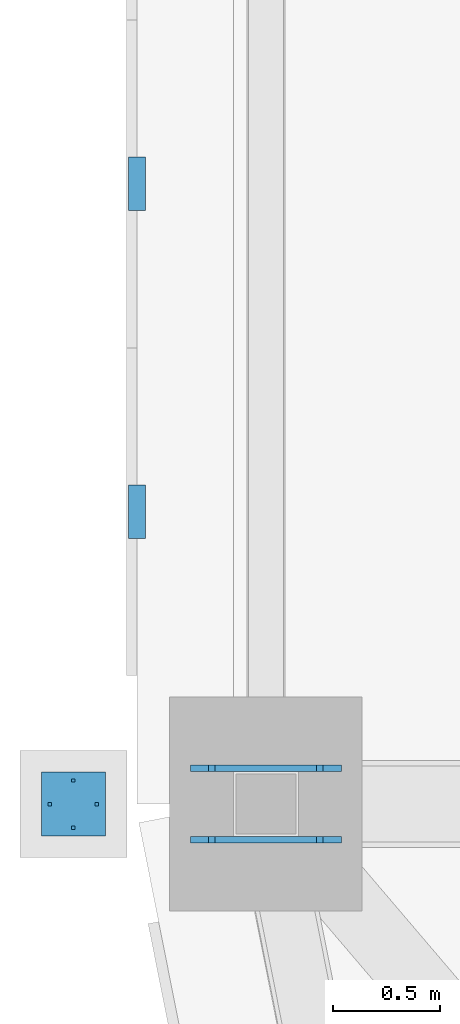
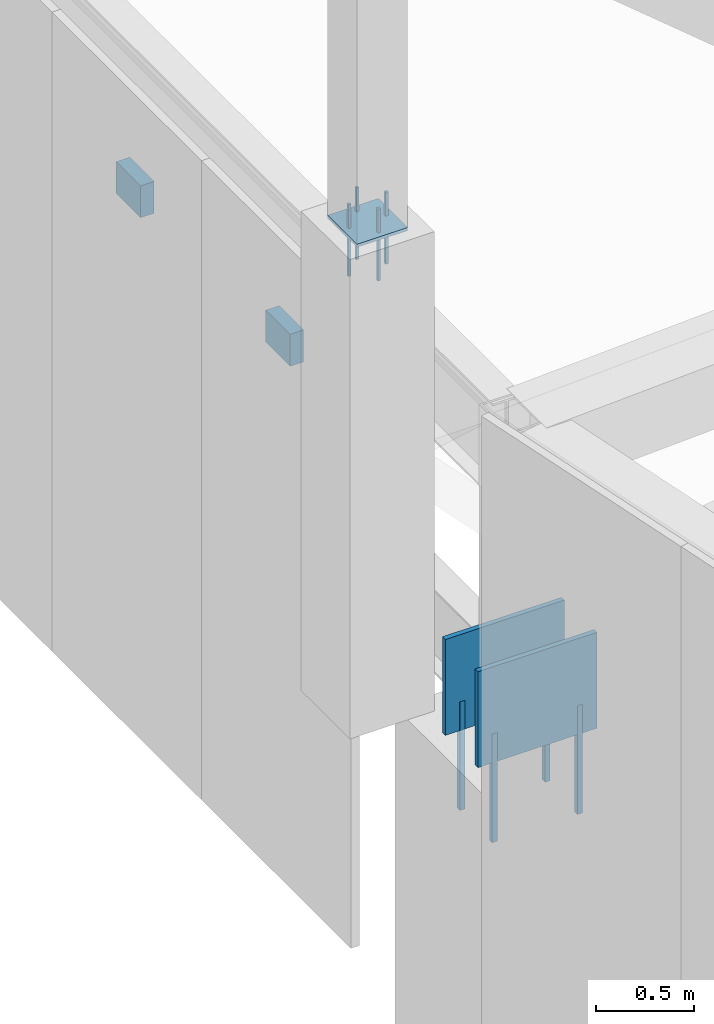
# One storey, part 126 of 278: 8 mechanical fasteners, 5 discrete accessories.
"""IFC4 building model written with IfcOpenShell, lengths in metres."""

from ifc_helpers import new_model, si_unit, direction, frame, origin, origin_2d, place, context, subcontext, project, spatial, rectangle, extrude, material, layer, layer_set, type_object, element, save


model = new_model("IFC4")

# Units and contexts
model_context = context("Model", 3, precision=1e-05, world=origin(), true_north=direction((0.0, 1.0)))
body_context = subcontext(model_context, "Body", "Model", "MODEL_VIEW")
ifc_project = project(units=[si_unit("LENGTHUNIT", "METRE"), si_unit("AREAUNIT", "SQUARE_METRE"), si_unit("VOLUMEUNIT", "CUBIC_METRE"), si_unit("PLANEANGLEUNIT", "RADIAN"), si_unit("MASSUNIT", "GRAM", prefix="KILO")], contexts=[model_context])

# Site, building, storey
site_placement = place(None, origin())
site = spatial("IfcSite", under=ifc_project, at=site_placement, CompositionType="ELEMENT")
building_placement = place(site_placement, origin())
building = spatial("IfcBuilding", under=site, at=building_placement, Name="Ogive Plaza Stadium", CompositionType="ELEMENT")
storey_placement = place(building_placement, frame((0.0, 0.0, 29.0)))
storey = spatial("IfcBuildingStorey", under=building, at=storey_placement, Name="Roof", CompositionType="ELEMENT", Elevation=29.0)

# Mechanical fasteners
ifc_material_1 = material(Name="Steel ASTM A992 Grade 50", Category="steel")
mechanical_fastener_type_1 = type_object("IfcMechanicalFastenerType", Name="Anchor bolt M30 x 600", PredefinedType="ANCHORBOLT", material=ifc_material_1)
for number, where, z_axis, x_axis, name in (
    (1, (-84.25244140625, -52.66650390625, 3.0), (0.0, 0.0, 1.0), (-1.0, 0.0, 0.0), "ANCHOR BOLT 21 BF 1.1"),
    (2, (-83.74755859375, -52.66650390625, 3.0), (0.0, 0.0, 1.0), (-1.0, 0.0, 0.0), "ANCHOR BOLT 21 BF 1.2"),
    (3, (-84.25244140625, -52.33349609375, 3.0), (0.0, 0.0, 1.0), (-1.0, 0.0, 0.0), "ANCHOR BOLT 21 BF 2.1"),
    (4, (-83.74755859375, -52.33349609375, 3.0), (0.0, 0.0, 1.0), (-1.0, 0.0, 0.0), "ANCHOR BOLT 21 BF 2.2"),
):
    element("IfcMechanicalFastener", number, at=place(storey_placement, frame(where, z_axis=z_axis, x_axis=x_axis)), inside=storey, type_object=mechanical_fastener_type_1, Name=name, PredefinedType="ANCHORBOLT", context=body_context, shape_type="SweptSolid", body=[
        extrude(rectangle(XDim=0.030029296875, YDim=0.030029296875, at=origin_2d()), origin(), (0.0, 0.0, 1.0), 0.679931640625),
    ])
ifc_material_2 = material(Name="Steel ASTM A992 Grade 50", Category="steel")
mechanical_fastener_type_2 = type_object("IfcMechanicalFastenerType", Name="Spire anchor bolt M16 x 450", PredefinedType="ANCHORBOLT", material=ifc_material_2)
for number, where, z_axis, x_axis, name in (
    (5, (-85.010009765625, -52.5, 6.7001953125), (0.0, 0.0, 1.0), (-1.0, 0.0, 0.0), "SPIRE ANCHOR BOLT 21 1"),
    (6, (-84.7900390625, -52.5, 6.7001953125), (0.0, 0.0, 1.0), (-1.0, 0.0, 0.0), "SPIRE ANCHOR BOLT 21 2"),
    (7, (-84.89990234375, -52.610107421875, 6.7001953125), (0.0, 0.0, 1.0), (-1.0, 0.0, 0.0), "SPIRE ANCHOR BOLT 21 3"),
    (8, (-84.89990234375, -52.389892578125, 6.7001953125), (0.0, 0.0, 1.0), (-1.0, 0.0, 0.0), "SPIRE ANCHOR BOLT 21 4"),
):
    element("IfcMechanicalFastener", number, at=place(storey_placement, frame(where, z_axis=z_axis, x_axis=x_axis)), inside=storey, type_object=mechanical_fastener_type_2, Name=name, PredefinedType="ANCHORBOLT", context=body_context, shape_type="SweptSolid", body=[
        extrude(rectangle(XDim=0.01611328125, YDim=0.01611328125, at=origin_2d()), origin(), (0.0, 0.0, 1.0), 0.449951171875),
    ])

# Discrete accessories
ifc_material_3 = material(Name="Steel ASTM A992 Grade 50", Category="steel")
ifc_layer_1 = layer(ifc_material_3, 0.02001953125)
ifc_layer_set_1 = layer_set([ifc_layer_1], Name="Steel ASTM A992 Grade 50")
discrete_accessory_type_1 = type_object("IfcDiscreteAccessoryType", Name="Spire seat plate 20", PredefinedType="ANCHORPLATE", material=ifc_layer_set_1)
discrete_accessory_placement = place(storey_placement, frame((-84.89990234375, -52.5, 6.98095703125), z_axis=(0.0, 0.0, 1.0), x_axis=(-1.0, 0.0, 0.0)))
element("IfcDiscreteAccessory", 9, at=discrete_accessory_placement, inside=storey, type_object=discrete_accessory_type_1, Name="SPIRE SEAT PLATE 21", PredefinedType="ANCHORPLATE", context=body_context, shape_type="SweptSolid", body=[
    extrude(rectangle(XDim=0.300048828125, YDim=0.300048828125, at=origin_2d()), origin(), (0.0, 0.0, 1.0), 0.02001953125),
])
ifc_material_4 = material(Name="Steel ASTM A572 Grade 50", Category="steel")
ifc_layer_2 = layer(ifc_material_4, 0.080078125)
ifc_layer_set_2 = layer_set([ifc_layer_2], Name="Steel ASTM A572 Grade 50")
discrete_accessory_type_2 = type_object("IfcDiscreteAccessoryType", Name="Tracery screen bracket 250x200", PredefinedType="BRACKET", material=ifc_layer_set_2)
for number, where, z_axis, x_axis, name in (
    (10, (-84.602294921875, -51.13330078125, 5.25), (0.0, 0.0, 1.0), (0.0, 1.0, 0.0), "TRACERY SCREEN BRACKET B21 1"),
    (11, (-84.602294921875, -49.60009765625, 5.25), (0.0, 0.0, 1.0), (0.0, 1.0, 0.0), "TRACERY SCREEN BRACKET B21 2"),
):
    element("IfcDiscreteAccessory", number, at=place(storey_placement, frame(where, z_axis=z_axis, x_axis=x_axis)), inside=storey, type_object=discrete_accessory_type_2, Name=name, PredefinedType="BRACKET", context=body_context, shape_type="SweptSolid", body=[
        extrude(rectangle(XDim=0.25, YDim=0.080078125, at=origin_2d()), origin(), (0.0, 0.0, 1.0), 0.199951171875),
    ])
ifc_material_5 = material(Name="Steel ASTM A992 Grade 50", Category="steel")
ifc_layer_3 = layer(ifc_material_5, 0.030029296875)
ifc_layer_set_3 = layer_set([ifc_layer_3], Name="Steel ASTM A992 Grade 50")
discrete_accessory_type_3 = type_object("IfcDiscreteAccessoryType", Name="Truss back-stay foot cleat plate 30", PredefinedType="ANCHORPLATE", material=ifc_layer_set_3)
for number, where, z_axis, x_axis, name in (
    (12, (-84.0, -52.66650390625, 3.5), (0.0, 0.0, 1.0), (-1.0, 0.0, 0.0), "TRUSS BACK-STAY FOOT CLEAT PLATE 21 1"),
    (13, (-84.0, -52.33349609375, 3.5), (0.0, 0.0, 1.0), (-1.0, 0.0, 0.0), "TRUSS BACK-STAY FOOT CLEAT PLATE 21 2"),
):
    element("IfcDiscreteAccessory", number, at=place(storey_placement, frame(where, z_axis=z_axis, x_axis=x_axis)), inside=storey, type_object=discrete_accessory_type_3, Name=name, PredefinedType="ANCHORPLATE", context=body_context, shape_type="SweptSolid", body=[
        extrude(rectangle(XDim=0.704833984375, YDim=0.030029296875, at=origin_2d()), origin(), (0.0, 0.0, 1.0), 0.60009765625),
    ])

save(model, "model.ifc")
